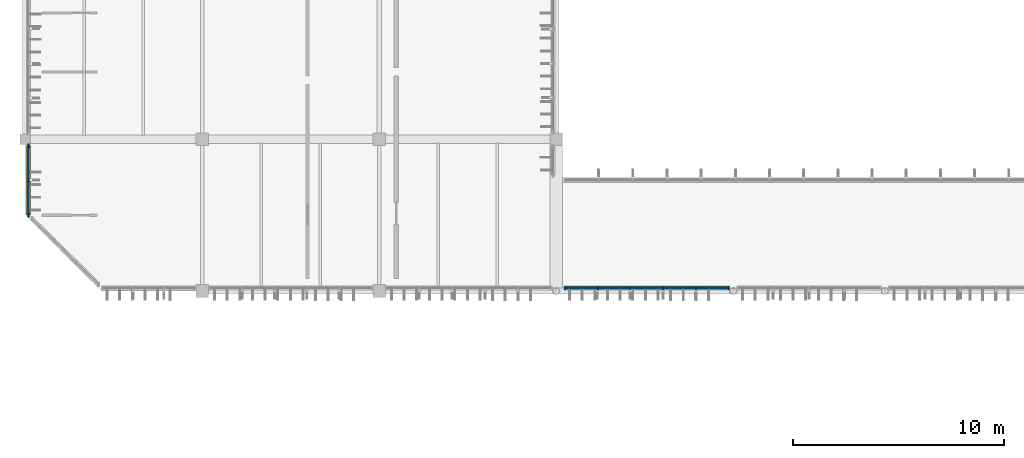
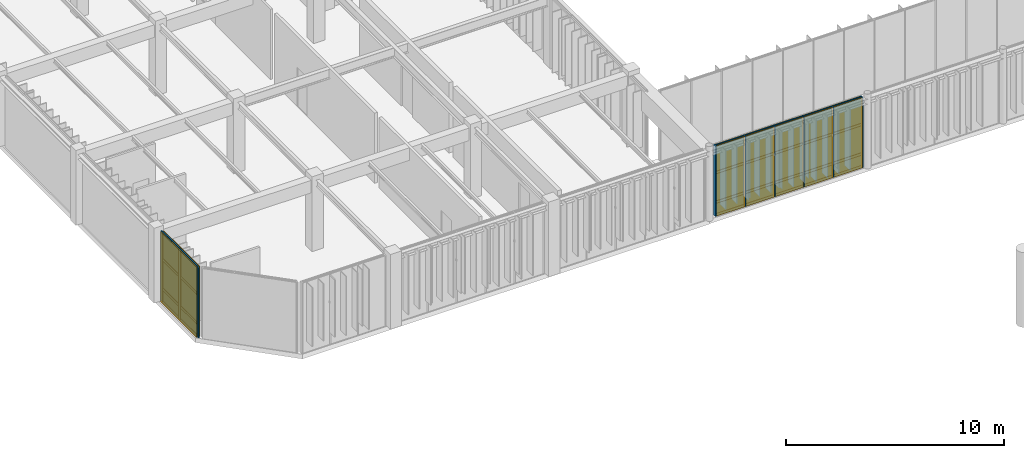
# One storey, part 69 of 122: 37 members, 21 plates, 2 curtain walls.
"""IFC4 building model written with IfcOpenShell, lengths in metres."""

from ifc_helpers import new_model, si_unit, direction, frame, frame_2d, origin, origin_2d, place, context, subcontext, project, spatial, rectangle, extrude, material, layer, layer_set, material_profile, profile_set, type_object, element, aggregate, save


model = new_model("IFC4")

# Units and contexts
model_context = context("Model", 3, precision=1e-05, world=origin(), true_north=direction((0.0, 1.0)))
body_context = subcontext(model_context, "Body", "Model", "MODEL_VIEW")
ifc_project = project(units=[si_unit("LENGTHUNIT", "METRE"), si_unit("AREAUNIT", "SQUARE_METRE"), si_unit("VOLUMEUNIT", "CUBIC_METRE"), si_unit("PLANEANGLEUNIT", "RADIAN"), si_unit("MASSUNIT", "GRAM", prefix="KILO")], contexts=[model_context])

# Member
ifc_material_1 = material(Name="Anodised Bronze Aluminium 6063-T6", Category="aluminium")
ifc_material_profile_1 = material_profile(ifc_material_1, rectangle(XDim=0.06005859375, YDim=0.179931640625, at=origin_2d()), Name="ALU MULLION 60x180")
ifc_profile_set_1 = profile_set([ifc_material_profile_1], Name="Anodised Bronze Aluminium 6063-T6")
member_type_1 = type_object("IfcMemberType", Name="Curtain-Wall Primary Mullion 60x180", PredefinedType="MULLION", material=ifc_profile_set_1)
site_placement = place(None, origin())
building_placement = place(site_placement, origin())
storey_placement = place(building_placement, frame((0.0, 0.0, 4.800048828125)))
member_1_placement = place(storey_placement, frame((2.550048828125, 48.199951171875, 0.0), z_axis=(0.0, 0.0, 1.0), x_axis=(1.0, 0.0, 0.0)))
member_1 = element("IfcMember", 1, at=member_1_placement, type_object=member_type_1, Name="Mullion CWM-01 CW-V6-W1-L01-B1-M01", PredefinedType="MULLION", context=body_context, shape_type="SweptSolid", body=[
    extrude(rectangle(XDim=0.06005859375, YDim=0.179931640625, at=origin_2d()), origin(), (0.0, 0.0, 1.0), 3.93994140625),
])

member_2_placement = place(storey_placement, frame((2.550048828125, 49.85009765625, 0.0), z_axis=(0.0, 0.0, 1.0), x_axis=(1.0, 0.0, 0.0)))
member_2 = element("IfcMember", 2, at=member_2_placement, type_object=member_type_1, Name="Mullion CWM-01 CW-V6-W1-L01-B1-M02", PredefinedType="MULLION", context=body_context, shape_type="SweptSolid", body=[
    extrude(rectangle(XDim=0.06005859375, YDim=0.179931640625, at=origin_2d()), origin(), (0.0, 0.0, 1.0), 3.93994140625),
])

member_3_placement = place(storey_placement, frame((2.550048828125, 51.5, 0.0), z_axis=(0.0, 0.0, 1.0), x_axis=(1.0, 0.0, 0.0)))
member_3 = element("IfcMember", 3, at=member_3_placement, type_object=member_type_1, Name="Mullion CWM-01 CW-V6-W1-L01-B1-M03", PredefinedType="MULLION", context=body_context, shape_type="SweptSolid", body=[
    extrude(rectangle(XDim=0.06005859375, YDim=0.179931640625, at=origin_2d()), origin(), (0.0, 0.0, 1.0), 3.93994140625),
])

member_4_placement = place(storey_placement, frame((28.0, 44.75, 0.0), z_axis=(0.0, 0.0, 1.0), x_axis=(1.0, 0.0, 0.0)))
member_4 = element("IfcMember", 4, at=member_4_placement, type_object=member_type_1, Name="Mullion CWM-01 CW-WLNK-S-L01-B1-M01", PredefinedType="MULLION", context=body_context, shape_type="SweptSolid", body=[
    extrude(rectangle(XDim=0.06005859375, YDim=0.179931640625, at=origin_2d()), origin(), (0.0, 0.0, 1.0), 3.93994140625),
])

member_5_placement = place(storey_placement, frame((29.5576171875, 44.75, 0.0), z_axis=(0.0, 0.0, 1.0), x_axis=(1.0, 0.0, 0.0)))
member_5 = element("IfcMember", 5, at=member_5_placement, type_object=member_type_1, Name="Mullion CWM-01 CW-WLNK-S-L01-B1-M02", PredefinedType="MULLION", context=body_context, shape_type="SweptSolid", body=[
    extrude(rectangle(XDim=0.06005859375, YDim=0.179931640625, at=origin_2d()), origin(), (0.0, 0.0, 1.0), 3.93994140625),
])

member_6_placement = place(storey_placement, frame((31.115234375, 44.75, 0.0), z_axis=(0.0, 0.0, 1.0), x_axis=(1.0, 0.0, 0.0)))
member_6 = element("IfcMember", 6, at=member_6_placement, type_object=member_type_1, Name="Mullion CWM-01 CW-WLNK-S-L01-B1-M03", PredefinedType="MULLION", context=body_context, shape_type="SweptSolid", body=[
    extrude(rectangle(XDim=0.06005859375, YDim=0.179931640625, at=origin_2d()), origin(), (0.0, 0.0, 1.0), 3.93994140625),
])

member_7_placement = place(storey_placement, frame((32.6728515625, 44.75, 0.0), z_axis=(0.0, 0.0, 1.0), x_axis=(1.0, 0.0, 0.0)))
member_7 = element("IfcMember", 7, at=member_7_placement, type_object=member_type_1, Name="Mullion CWM-01 CW-WLNK-S-L01-B1-M04", PredefinedType="MULLION", context=body_context, shape_type="SweptSolid", body=[
    extrude(rectangle(XDim=0.06005859375, YDim=0.179931640625, at=origin_2d()), origin(), (0.0, 0.0, 1.0), 3.93994140625),
])

member_8_placement = place(storey_placement, frame((34.23046875, 44.75, 0.0), z_axis=(0.0, 0.0, 1.0), x_axis=(1.0, 0.0, 0.0)))
member_8 = element("IfcMember", 8, at=member_8_placement, type_object=member_type_1, Name="Mullion CWM-01 CW-WLNK-S-L01-B1-M05", PredefinedType="MULLION", context=body_context, shape_type="SweptSolid", body=[
    extrude(rectangle(XDim=0.06005859375, YDim=0.179931640625, at=origin_2d()), origin(), (0.0, 0.0, 1.0), 3.93994140625),
])

member_9_placement = place(storey_placement, frame((35.7880859375, 44.75, 0.0), z_axis=(0.0, 0.0, 1.0), x_axis=(1.0, 0.0, 0.0)))
member_9 = element("IfcMember", 9, at=member_9_placement, type_object=member_type_1, Name="Mullion CWM-01 CW-WLNK-S-L01-B1-M06", PredefinedType="MULLION", context=body_context, shape_type="SweptSolid", body=[
    extrude(rectangle(XDim=0.06005859375, YDim=0.179931640625, at=origin_2d()), origin(), (0.0, 0.0, 1.0), 3.93994140625),
])

ifc_material_profile_2 = material_profile(ifc_material_1, rectangle(XDim=0.06005859375, YDim=0.139892578125, at=origin_2d()), Name="ALU TRANSOM 60x140")
ifc_profile_set_2 = profile_set([ifc_material_profile_2], Name="Anodised Bronze Aluminium 6063-T6")
member_type_2 = type_object("IfcMemberType", Name="Curtain-Wall Transom 60x140", PredefinedType="USERDEFINED", material=ifc_profile_set_2)
member_10_placement = place(storey_placement, frame((2.550048828125, 48.235107421875, 0.0400390625), z_axis=(0.0, 1.0, 0.0), x_axis=(-1.0, 0.0, 0.0)))
member_10 = element("IfcMember", 10, at=member_10_placement, type_object=member_type_2, Name="Transom CWT-01 CW-V6-W1-L01-B1-T01.1", ObjectType="TRANSOM", PredefinedType="USERDEFINED", context=body_context, shape_type="SweptSolid", body=[
    extrude(rectangle(XDim=0.06005859375, YDim=0.139892578125, at=origin_2d()), origin(), (0.0, 0.0, 1.0), 1.579833984375),
])

member_11_placement = place(storey_placement, frame((2.550048828125, 48.235107421875, 0.75), z_axis=(0.0, 1.0, 0.0), x_axis=(-1.0, 0.0, 0.0)))
member_11 = element("IfcMember", 11, at=member_11_placement, type_object=member_type_2, Name="Transom CWT-01 CW-V6-W1-L01-B1-T01.2", ObjectType="TRANSOM", PredefinedType="USERDEFINED", context=body_context, shape_type="SweptSolid", body=[
    extrude(rectangle(XDim=0.06005859375, YDim=0.139892578125, at=origin_2d()), origin(), (0.0, 0.0, 1.0), 1.579833984375),
])

member_12_placement = place(storey_placement, frame((2.550048828125, 48.235107421875, 2.40869140625), z_axis=(0.0, 1.0, 0.0), x_axis=(-1.0, 0.0, 0.0)))
member_12 = element("IfcMember", 12, at=member_12_placement, type_object=member_type_2, Name="Transom CWT-01 CW-V6-W1-L01-B1-T01.3", ObjectType="TRANSOM", PredefinedType="USERDEFINED", context=body_context, shape_type="SweptSolid", body=[
    extrude(rectangle(XDim=0.06005859375, YDim=0.139892578125, at=origin_2d()), origin(), (0.0, 0.0, 1.0), 1.579833984375),
])

member_13_placement = place(storey_placement, frame((2.550048828125, 48.235107421875, 3.89990234375), z_axis=(0.0, 1.0, 0.0), x_axis=(-1.0, 0.0, 0.0)))
member_13 = element("IfcMember", 13, at=member_13_placement, type_object=member_type_2, Name="Transom CWT-01 CW-V6-W1-L01-B1-T01.4", ObjectType="TRANSOM", PredefinedType="USERDEFINED", context=body_context, shape_type="SweptSolid", body=[
    extrude(rectangle(XDim=0.06005859375, YDim=0.139892578125, at=origin_2d()), origin(), (0.0, 0.0, 1.0), 1.579833984375),
])

member_14_placement = place(storey_placement, frame((2.550048828125, 49.885009765625, 0.0400390625), z_axis=(0.0, 1.0, 0.0), x_axis=(-1.0, 0.0, 0.0)))
member_14 = element("IfcMember", 14, at=member_14_placement, type_object=member_type_2, Name="Transom CWT-01 CW-V6-W1-L01-B1-T02.1", ObjectType="TRANSOM", PredefinedType="USERDEFINED", context=body_context, shape_type="SweptSolid", body=[
    extrude(rectangle(XDim=0.06005859375, YDim=0.139892578125, at=origin_2d()), origin(), (0.0, 0.0, 1.0), 1.580078125),
])

member_15_placement = place(storey_placement, frame((2.550048828125, 49.885009765625, 0.75), z_axis=(0.0, 1.0, 0.0), x_axis=(-1.0, 0.0, 0.0)))
member_15 = element("IfcMember", 15, at=member_15_placement, type_object=member_type_2, Name="Transom CWT-01 CW-V6-W1-L01-B1-T02.2", ObjectType="TRANSOM", PredefinedType="USERDEFINED", context=body_context, shape_type="SweptSolid", body=[
    extrude(rectangle(XDim=0.06005859375, YDim=0.139892578125, at=origin_2d()), origin(), (0.0, 0.0, 1.0), 1.580078125),
])

member_16_placement = place(storey_placement, frame((2.550048828125, 49.885009765625, 2.40869140625), z_axis=(0.0, 1.0, 0.0), x_axis=(-1.0, 0.0, 0.0)))
member_16 = element("IfcMember", 16, at=member_16_placement, type_object=member_type_2, Name="Transom CWT-01 CW-V6-W1-L01-B1-T02.3", ObjectType="TRANSOM", PredefinedType="USERDEFINED", context=body_context, shape_type="SweptSolid", body=[
    extrude(rectangle(XDim=0.06005859375, YDim=0.139892578125, at=origin_2d()), origin(), (0.0, 0.0, 1.0), 1.580078125),
])

member_17_placement = place(storey_placement, frame((2.550048828125, 49.885009765625, 3.89990234375), z_axis=(0.0, 1.0, 0.0), x_axis=(-1.0, 0.0, 0.0)))
member_17 = element("IfcMember", 17, at=member_17_placement, type_object=member_type_2, Name="Transom CWT-01 CW-V6-W1-L01-B1-T02.4", ObjectType="TRANSOM", PredefinedType="USERDEFINED", context=body_context, shape_type="SweptSolid", body=[
    extrude(rectangle(XDim=0.06005859375, YDim=0.139892578125, at=origin_2d()), origin(), (0.0, 0.0, 1.0), 1.580078125),
])

member_18_placement = place(storey_placement, frame((28.034912109375, 44.75, 0.0400390625), z_axis=(1.0, 0.0, 0.0), x_axis=(0.0, 1.0, 0.0)))
member_18 = element("IfcMember", 18, at=member_18_placement, type_object=member_type_2, Name="Transom CWT-01 CW-WLNK-S-L01-B1-T01.1", ObjectType="TRANSOM", PredefinedType="USERDEFINED", context=body_context, shape_type="SweptSolid", body=[
    extrude(rectangle(XDim=0.06005859375, YDim=0.139892578125, at=origin_2d()), origin(), (0.0, 0.0, 1.0), 1.48779296875),
])

member_19_placement = place(storey_placement, frame((28.034912109375, 44.75, 0.75), z_axis=(1.0, 0.0, 0.0), x_axis=(0.0, 1.0, 0.0)))
member_19 = element("IfcMember", 19, at=member_19_placement, type_object=member_type_2, Name="Transom CWT-01 CW-WLNK-S-L01-B1-T01.2", ObjectType="TRANSOM", PredefinedType="USERDEFINED", context=body_context, shape_type="SweptSolid", body=[
    extrude(rectangle(XDim=0.06005859375, YDim=0.139892578125, at=origin_2d()), origin(), (0.0, 0.0, 1.0), 1.48779296875),
])

member_20_placement = place(storey_placement, frame((28.034912109375, 44.75, 2.40869140625), z_axis=(1.0, 0.0, 0.0), x_axis=(0.0, 1.0, 0.0)))
member_20 = element("IfcMember", 20, at=member_20_placement, type_object=member_type_2, Name="Transom CWT-01 CW-WLNK-S-L01-B1-T01.3", ObjectType="TRANSOM", PredefinedType="USERDEFINED", context=body_context, shape_type="SweptSolid", body=[
    extrude(rectangle(XDim=0.06005859375, YDim=0.139892578125, at=origin_2d()), origin(), (0.0, 0.0, 1.0), 1.48779296875),
])

member_21_placement = place(storey_placement, frame((28.034912109375, 44.75, 3.89990234375), z_axis=(1.0, 0.0, 0.0), x_axis=(0.0, 1.0, 0.0)))
member_21 = element("IfcMember", 21, at=member_21_placement, type_object=member_type_2, Name="Transom CWT-01 CW-WLNK-S-L01-B1-T01.4", ObjectType="TRANSOM", PredefinedType="USERDEFINED", context=body_context, shape_type="SweptSolid", body=[
    extrude(rectangle(XDim=0.06005859375, YDim=0.139892578125, at=origin_2d()), origin(), (0.0, 0.0, 1.0), 1.48779296875),
])

member_22_placement = place(storey_placement, frame((29.592529296875, 44.75, 0.0400390625), z_axis=(1.0, 0.0, 0.0), x_axis=(0.0, 1.0, 0.0)))
member_22 = element("IfcMember", 22, at=member_22_placement, type_object=member_type_2, Name="Transom CWT-01 CW-WLNK-S-L01-B1-T02.1", ObjectType="TRANSOM", PredefinedType="USERDEFINED", context=body_context, shape_type="SweptSolid", body=[
    extrude(rectangle(XDim=0.06005859375, YDim=0.139892578125, at=origin_2d()), origin(), (0.0, 0.0, 1.0), 1.487548828125),
])

member_23_placement = place(storey_placement, frame((29.592529296875, 44.75, 0.75), z_axis=(1.0, 0.0, 0.0), x_axis=(0.0, 1.0, 0.0)))
member_23 = element("IfcMember", 23, at=member_23_placement, type_object=member_type_2, Name="Transom CWT-01 CW-WLNK-S-L01-B1-T02.2", ObjectType="TRANSOM", PredefinedType="USERDEFINED", context=body_context, shape_type="SweptSolid", body=[
    extrude(rectangle(XDim=0.06005859375, YDim=0.139892578125, at=origin_2d()), origin(), (0.0, 0.0, 1.0), 1.487548828125),
])

member_24_placement = place(storey_placement, frame((29.592529296875, 44.75, 2.40869140625), z_axis=(1.0, 0.0, 0.0), x_axis=(0.0, 1.0, 0.0)))
member_24 = element("IfcMember", 24, at=member_24_placement, type_object=member_type_2, Name="Transom CWT-01 CW-WLNK-S-L01-B1-T02.3", ObjectType="TRANSOM", PredefinedType="USERDEFINED", context=body_context, shape_type="SweptSolid", body=[
    extrude(rectangle(XDim=0.06005859375, YDim=0.139892578125, at=origin_2d()), origin(), (0.0, 0.0, 1.0), 1.487548828125),
])

member_25_placement = place(storey_placement, frame((29.592529296875, 44.75, 3.89990234375), z_axis=(1.0, 0.0, 0.0), x_axis=(0.0, 1.0, 0.0)))
member_25 = element("IfcMember", 25, at=member_25_placement, type_object=member_type_2, Name="Transom CWT-01 CW-WLNK-S-L01-B1-T02.4", ObjectType="TRANSOM", PredefinedType="USERDEFINED", context=body_context, shape_type="SweptSolid", body=[
    extrude(rectangle(XDim=0.06005859375, YDim=0.139892578125, at=origin_2d()), origin(), (0.0, 0.0, 1.0), 1.487548828125),
])

member_26_placement = place(storey_placement, frame((31.150146484375, 44.75, 0.0400390625), z_axis=(1.0, 0.0, 0.0), x_axis=(0.0, 1.0, 0.0)))
member_26 = element("IfcMember", 26, at=member_26_placement, type_object=member_type_2, Name="Transom CWT-01 CW-WLNK-S-L01-B1-T03.1", ObjectType="TRANSOM", PredefinedType="USERDEFINED", context=body_context, shape_type="SweptSolid", body=[
    extrude(rectangle(XDim=0.06005859375, YDim=0.139892578125, at=origin_2d()), origin(), (0.0, 0.0, 1.0), 1.487548828125),
])

member_27_placement = place(storey_placement, frame((31.150146484375, 44.75, 0.75), z_axis=(1.0, 0.0, 0.0), x_axis=(0.0, 1.0, 0.0)))
member_27 = element("IfcMember", 27, at=member_27_placement, type_object=member_type_2, Name="Transom CWT-01 CW-WLNK-S-L01-B1-T03.2", ObjectType="TRANSOM", PredefinedType="USERDEFINED", context=body_context, shape_type="SweptSolid", body=[
    extrude(rectangle(XDim=0.06005859375, YDim=0.139892578125, at=origin_2d()), origin(), (0.0, 0.0, 1.0), 1.487548828125),
])

member_28_placement = place(storey_placement, frame((31.150146484375, 44.75, 2.40869140625), z_axis=(1.0, 0.0, 0.0), x_axis=(0.0, 1.0, 0.0)))
member_28 = element("IfcMember", 28, at=member_28_placement, type_object=member_type_2, Name="Transom CWT-01 CW-WLNK-S-L01-B1-T03.3", ObjectType="TRANSOM", PredefinedType="USERDEFINED", context=body_context, shape_type="SweptSolid", body=[
    extrude(rectangle(XDim=0.06005859375, YDim=0.139892578125, at=origin_2d()), origin(), (0.0, 0.0, 1.0), 1.487548828125),
])

member_29_placement = place(storey_placement, frame((31.150146484375, 44.75, 3.89990234375), z_axis=(1.0, 0.0, 0.0), x_axis=(0.0, 1.0, 0.0)))
member_29 = element("IfcMember", 29, at=member_29_placement, type_object=member_type_2, Name="Transom CWT-01 CW-WLNK-S-L01-B1-T03.4", ObjectType="TRANSOM", PredefinedType="USERDEFINED", context=body_context, shape_type="SweptSolid", body=[
    extrude(rectangle(XDim=0.06005859375, YDim=0.139892578125, at=origin_2d()), origin(), (0.0, 0.0, 1.0), 1.487548828125),
])

member_30_placement = place(storey_placement, frame((32.707763671875, 44.75, 0.0400390625), z_axis=(1.0, 0.0, 0.0), x_axis=(0.0, 1.0, 0.0)))
member_30 = element("IfcMember", 30, at=member_30_placement, type_object=member_type_2, Name="Transom CWT-01 CW-WLNK-S-L01-B1-T04.1", ObjectType="TRANSOM", PredefinedType="USERDEFINED", context=body_context, shape_type="SweptSolid", body=[
    extrude(rectangle(XDim=0.06005859375, YDim=0.139892578125, at=origin_2d()), origin(), (0.0, 0.0, 1.0), 1.487548828125),
])

member_31_placement = place(storey_placement, frame((32.707763671875, 44.75, 0.75), z_axis=(1.0, 0.0, 0.0), x_axis=(0.0, 1.0, 0.0)))
member_31 = element("IfcMember", 31, at=member_31_placement, type_object=member_type_2, Name="Transom CWT-01 CW-WLNK-S-L01-B1-T04.2", ObjectType="TRANSOM", PredefinedType="USERDEFINED", context=body_context, shape_type="SweptSolid", body=[
    extrude(rectangle(XDim=0.06005859375, YDim=0.139892578125, at=origin_2d()), origin(), (0.0, 0.0, 1.0), 1.487548828125),
])

member_32_placement = place(storey_placement, frame((32.707763671875, 44.75, 2.40869140625), z_axis=(1.0, 0.0, 0.0), x_axis=(0.0, 1.0, 0.0)))
member_32 = element("IfcMember", 32, at=member_32_placement, type_object=member_type_2, Name="Transom CWT-01 CW-WLNK-S-L01-B1-T04.3", ObjectType="TRANSOM", PredefinedType="USERDEFINED", context=body_context, shape_type="SweptSolid", body=[
    extrude(rectangle(XDim=0.06005859375, YDim=0.139892578125, at=origin_2d()), origin(), (0.0, 0.0, 1.0), 1.487548828125),
])

member_33_placement = place(storey_placement, frame((32.707763671875, 44.75, 3.89990234375), z_axis=(1.0, 0.0, 0.0), x_axis=(0.0, 1.0, 0.0)))
member_33 = element("IfcMember", 33, at=member_33_placement, type_object=member_type_2, Name="Transom CWT-01 CW-WLNK-S-L01-B1-T04.4", ObjectType="TRANSOM", PredefinedType="USERDEFINED", context=body_context, shape_type="SweptSolid", body=[
    extrude(rectangle(XDim=0.06005859375, YDim=0.139892578125, at=origin_2d()), origin(), (0.0, 0.0, 1.0), 1.487548828125),
])

member_34_placement = place(storey_placement, frame((34.265380859375, 44.75, 0.0400390625), z_axis=(1.0, 0.0, 0.0), x_axis=(0.0, 1.0, 0.0)))
member_34 = element("IfcMember", 34, at=member_34_placement, type_object=member_type_2, Name="Transom CWT-01 CW-WLNK-S-L01-B1-T05.1", ObjectType="TRANSOM", PredefinedType="USERDEFINED", context=body_context, shape_type="SweptSolid", body=[
    extrude(rectangle(XDim=0.06005859375, YDim=0.139892578125, at=origin_2d()), origin(), (0.0, 0.0, 1.0), 1.487548828125),
])

member_35_placement = place(storey_placement, frame((34.265380859375, 44.75, 0.75), z_axis=(1.0, 0.0, 0.0), x_axis=(0.0, 1.0, 0.0)))
member_35 = element("IfcMember", 35, at=member_35_placement, type_object=member_type_2, Name="Transom CWT-01 CW-WLNK-S-L01-B1-T05.2", ObjectType="TRANSOM", PredefinedType="USERDEFINED", context=body_context, shape_type="SweptSolid", body=[
    extrude(rectangle(XDim=0.06005859375, YDim=0.139892578125, at=origin_2d()), origin(), (0.0, 0.0, 1.0), 1.487548828125),
])

member_36_placement = place(storey_placement, frame((34.265380859375, 44.75, 2.40869140625), z_axis=(1.0, 0.0, 0.0), x_axis=(0.0, 1.0, 0.0)))
member_36 = element("IfcMember", 36, at=member_36_placement, type_object=member_type_2, Name="Transom CWT-01 CW-WLNK-S-L01-B1-T05.3", ObjectType="TRANSOM", PredefinedType="USERDEFINED", context=body_context, shape_type="SweptSolid", body=[
    extrude(rectangle(XDim=0.06005859375, YDim=0.139892578125, at=origin_2d()), origin(), (0.0, 0.0, 1.0), 1.487548828125),
])

member_37_placement = place(storey_placement, frame((34.265380859375, 44.75, 3.89990234375), z_axis=(1.0, 0.0, 0.0), x_axis=(0.0, 1.0, 0.0)))
member_37 = element("IfcMember", 37, at=member_37_placement, type_object=member_type_2, Name="Transom CWT-01 CW-WLNK-S-L01-B1-T05.4", ObjectType="TRANSOM", PredefinedType="USERDEFINED", context=body_context, shape_type="SweptSolid", body=[
    extrude(rectangle(XDim=0.06005859375, YDim=0.139892578125, at=origin_2d()), origin(), (0.0, 0.0, 1.0), 1.487548828125),
])

# Plate
ifc_material_2 = material(Name="Insulated Bronze Aluminium Spandrel Panel", Category="aluminium")
ifc_layer_1 = layer(ifc_material_2, 0.050048828125, Name="Insulated Bronze Aluminium Spandrel Panel")
ifc_layer_set_1 = layer_set([ifc_layer_1], Name="Insulated Bronze Aluminium Spandrel Panel")
plate_type_1 = type_object("IfcPlateType", Name="Insulated Anodised Aluminium Spandrel Cassette 50", PredefinedType="CURTAIN_PANEL", material=ifc_layer_set_1)
plate_1_placement = place(storey_placement, frame((2.550048828125, 49.02490234375, 0.070068359375), z_axis=(0.0, 0.0, 1.0), x_axis=(0.0, 1.0, 0.0)))
plate_1 = element("IfcPlate", 38, at=plate_1_placement, type_object=plate_type_1, Name="Curtain Panel CWP-03 CW-V6-W1-L01-B1-P01.1", PredefinedType="CURTAIN_PANEL", context=body_context, shape_type="SweptSolid", body=[
    extrude(rectangle(XDim=1.580078125, YDim=0.050048828125, at=origin_2d()), origin(), (0.0, 0.0, 1.0), 0.64990234375),
])

plate_2_placement = place(storey_placement, frame((2.550048828125, 50.675048828125, 0.070068359375), z_axis=(0.0, 0.0, 1.0), x_axis=(0.0, 1.0, 0.0)))
plate_2 = element("IfcPlate", 39, at=plate_2_placement, type_object=plate_type_1, Name="Curtain Panel CWP-03 CW-V6-W1-L01-B1-P02.1", PredefinedType="CURTAIN_PANEL", context=body_context, shape_type="SweptSolid", body=[
    extrude(rectangle(XDim=1.580078125, YDim=0.050048828125, at=origin_2d()), origin(), (0.0, 0.0, 1.0), 0.64990234375),
])

plate_3_placement = place(storey_placement, frame((28.77880859375, 44.75, 0.070068359375), z_axis=(0.0, 0.0, 1.0), x_axis=(1.0, 0.0, 0.0)))
plate_3 = element("IfcPlate", 40, at=plate_3_placement, type_object=plate_type_1, Name="Curtain Panel CWP-03 CW-WLNK-S-L01-B1-P01.1", PredefinedType="CURTAIN_PANEL", context=body_context, shape_type="SweptSolid", body=[
    extrude(rectangle(XDim=1.487548828125, YDim=0.050048828125, at=origin_2d()), origin(), (0.0, 0.0, 1.0), 0.64990234375),
])

plate_4_placement = place(storey_placement, frame((30.33642578125, 44.75, 0.070068359375), z_axis=(0.0, 0.0, 1.0), x_axis=(1.0, 0.0, 0.0)))
plate_4 = element("IfcPlate", 41, at=plate_4_placement, type_object=plate_type_1, Name="Curtain Panel CWP-03 CW-WLNK-S-L01-B1-P02.1", PredefinedType="CURTAIN_PANEL", context=body_context, shape_type="SweptSolid", body=[
    extrude(rectangle(XDim=1.487548828125, YDim=0.050048828125, at=origin_2d()), origin(), (0.0, 0.0, 1.0), 0.64990234375),
])

plate_5_placement = place(storey_placement, frame((31.89404296875, 44.75, 0.070068359375), z_axis=(0.0, 0.0, 1.0), x_axis=(1.0, 0.0, 0.0)))
plate_5 = element("IfcPlate", 42, at=plate_5_placement, type_object=plate_type_1, Name="Curtain Panel CWP-03 CW-WLNK-S-L01-B1-P03.1", PredefinedType="CURTAIN_PANEL", context=body_context, shape_type="SweptSolid", body=[
    extrude(rectangle(XDim=1.487548828125, YDim=0.050048828125, at=origin_2d()), origin(), (0.0, 0.0, 1.0), 0.64990234375),
])

plate_6_placement = place(storey_placement, frame((33.45166015625, 44.75, 0.070068359375), z_axis=(0.0, 0.0, 1.0), x_axis=(1.0, 0.0, 0.0)))
plate_6 = element("IfcPlate", 43, at=plate_6_placement, type_object=plate_type_1, Name="Curtain Panel CWP-03 CW-WLNK-S-L01-B1-P04.1", PredefinedType="CURTAIN_PANEL", context=body_context, shape_type="SweptSolid", body=[
    extrude(rectangle(XDim=1.487548828125, YDim=0.050048828125, at=origin_2d()), origin(), (0.0, 0.0, 1.0), 0.64990234375),
])

plate_7_placement = place(storey_placement, frame((35.00927734375, 44.75, 0.070068359375), z_axis=(0.0, 0.0, 1.0), x_axis=(1.0, 0.0, 0.0)))
plate_7 = element("IfcPlate", 44, at=plate_7_placement, type_object=plate_type_1, Name="Curtain Panel CWP-03 CW-WLNK-S-L01-B1-P05.1", PredefinedType="CURTAIN_PANEL", context=body_context, shape_type="SweptSolid", body=[
    extrude(rectangle(XDim=1.487548828125, YDim=0.050048828125, at=origin_2d()), origin(), (0.0, 0.0, 1.0), 0.64990234375),
])

ifc_material_3 = material(Name="Solar-Control Tempered Double Glazing", Category="glass")
ifc_layer_2 = layer(ifc_material_3, 0.0380859375, Name="Solar-Control Tempered Double Glazing")
ifc_layer_set_2 = layer_set([ifc_layer_2], Name="Solar-Control Tempered Double Glazing")
plate_type_2 = type_object("IfcPlateType", Name="Solar-Control Vision Glazing Unit 38", PredefinedType="CURTAIN_PANEL", material=ifc_layer_set_2)
plate_8_placement = place(storey_placement, frame((2.550048828125, 49.02490234375, 0.77978515625), z_axis=(0.0, 0.0, 1.0), x_axis=(0.0, 1.0, 0.0)))
plate_8 = element("IfcPlate", 45, at=plate_8_placement, type_object=plate_type_2, Name="Curtain Panel CWP-02 CW-V6-W1-L01-B1-P01.2", PredefinedType="CURTAIN_PANEL", context=body_context, shape_type="SweptSolid", body=[
    extrude(rectangle(XDim=1.580078125, YDim=0.0380859375, at=origin_2d()), origin(), (0.0, 0.0, 1.0), 1.598876953125),
])

plate_9_placement = place(storey_placement, frame((2.550048828125, 49.02490234375, 2.438720703125), z_axis=(0.0, 0.0, 1.0), x_axis=(0.0, 1.0, 0.0)))
plate_9 = element("IfcPlate", 46, at=plate_9_placement, type_object=plate_type_2, Name="Curtain Panel CWP-02 CW-V6-W1-L01-B1-P01.3", PredefinedType="CURTAIN_PANEL", context=body_context, shape_type="SweptSolid", body=[
    extrude(rectangle(XDim=1.580078125, YDim=0.0380859375, at=origin_2d()), origin(), (0.0, 0.0, 1.0), 1.43115234375),
])

plate_10_placement = place(storey_placement, frame((2.550048828125, 50.675048828125, 0.77978515625), z_axis=(0.0, 0.0, 1.0), x_axis=(0.0, 1.0, 0.0)))
plate_10 = element("IfcPlate", 47, at=plate_10_placement, type_object=plate_type_2, Name="Curtain Panel CWP-02 CW-V6-W1-L01-B1-P02.2", PredefinedType="CURTAIN_PANEL", context=body_context, shape_type="SweptSolid", body=[
    extrude(rectangle(XDim=1.580078125, YDim=0.0380859375, at=origin_2d()), origin(), (0.0, 0.0, 1.0), 1.598876953125),
])

plate_11_placement = place(storey_placement, frame((2.550048828125, 50.675048828125, 2.438720703125), z_axis=(0.0, 0.0, 1.0), x_axis=(0.0, 1.0, 0.0)))
plate_11 = element("IfcPlate", 48, at=plate_11_placement, type_object=plate_type_2, Name="Curtain Panel CWP-02 CW-V6-W1-L01-B1-P02.3", PredefinedType="CURTAIN_PANEL", context=body_context, shape_type="SweptSolid", body=[
    extrude(rectangle(XDim=1.580078125, YDim=0.0380859375, at=origin_2d()), origin(), (0.0, 0.0, 1.0), 1.43115234375),
])

plate_12_placement = place(storey_placement, frame((28.77880859375, 44.75, 0.77978515625), z_axis=(0.0, 0.0, 1.0), x_axis=(1.0, 0.0, 0.0)))
plate_12 = element("IfcPlate", 49, at=plate_12_placement, type_object=plate_type_2, Name="Curtain Panel CWP-02 CW-WLNK-S-L01-B1-P01.2", PredefinedType="CURTAIN_PANEL", context=body_context, shape_type="SweptSolid", body=[
    extrude(rectangle(XDim=1.487548828125, YDim=0.0380859375, at=origin_2d()), origin(), (0.0, 0.0, 1.0), 1.598876953125),
])

plate_13_placement = place(storey_placement, frame((28.77880859375, 44.75, 2.438720703125), z_axis=(0.0, 0.0, 1.0), x_axis=(1.0, 0.0, 0.0)))
plate_13 = element("IfcPlate", 50, at=plate_13_placement, type_object=plate_type_2, Name="Curtain Panel CWP-02 CW-WLNK-S-L01-B1-P01.3", PredefinedType="CURTAIN_PANEL", context=body_context, shape_type="SweptSolid", body=[
    extrude(rectangle(XDim=1.487548828125, YDim=0.0380859375, at=origin_2d()), origin(), (0.0, 0.0, 1.0), 1.43115234375),
])

plate_14_placement = place(storey_placement, frame((30.33642578125, 44.75, 0.77978515625), z_axis=(0.0, 0.0, 1.0), x_axis=(1.0, 0.0, 0.0)))
plate_14 = element("IfcPlate", 51, at=plate_14_placement, type_object=plate_type_2, Name="Curtain Panel CWP-02 CW-WLNK-S-L01-B1-P02.2", PredefinedType="CURTAIN_PANEL", context=body_context, shape_type="SweptSolid", body=[
    extrude(rectangle(XDim=1.487548828125, YDim=0.0380859375, at=origin_2d()), origin(), (0.0, 0.0, 1.0), 1.598876953125),
])

plate_15_placement = place(storey_placement, frame((30.33642578125, 44.75, 2.438720703125), z_axis=(0.0, 0.0, 1.0), x_axis=(1.0, 0.0, 0.0)))
plate_15 = element("IfcPlate", 52, at=plate_15_placement, type_object=plate_type_2, Name="Curtain Panel CWP-02 CW-WLNK-S-L01-B1-P02.3", PredefinedType="CURTAIN_PANEL", context=body_context, shape_type="SweptSolid", body=[
    extrude(rectangle(XDim=1.487548828125, YDim=0.0380859375, at=origin_2d()), origin(), (0.0, 0.0, 1.0), 1.43115234375),
])

plate_16_placement = place(storey_placement, frame((31.89404296875, 44.75, 0.77978515625), z_axis=(0.0, 0.0, 1.0), x_axis=(1.0, 0.0, 0.0)))
plate_16 = element("IfcPlate", 53, at=plate_16_placement, type_object=plate_type_2, Name="Curtain Panel CWP-02 CW-WLNK-S-L01-B1-P03.2", PredefinedType="CURTAIN_PANEL", context=body_context, shape_type="SweptSolid", body=[
    extrude(rectangle(XDim=1.487548828125, YDim=0.0380859375, at=origin_2d()), origin(), (0.0, 0.0, 1.0), 1.598876953125),
])

plate_17_placement = place(storey_placement, frame((31.89404296875, 44.75, 2.438720703125), z_axis=(0.0, 0.0, 1.0), x_axis=(1.0, 0.0, 0.0)))
plate_17 = element("IfcPlate", 54, at=plate_17_placement, type_object=plate_type_2, Name="Curtain Panel CWP-02 CW-WLNK-S-L01-B1-P03.3", PredefinedType="CURTAIN_PANEL", context=body_context, shape_type="SweptSolid", body=[
    extrude(rectangle(XDim=1.487548828125, YDim=0.0380859375, at=origin_2d()), origin(), (0.0, 0.0, 1.0), 1.43115234375),
])

plate_18_placement = place(storey_placement, frame((33.45166015625, 44.75, 0.77978515625), z_axis=(0.0, 0.0, 1.0), x_axis=(1.0, 0.0, 0.0)))
plate_18 = element("IfcPlate", 55, at=plate_18_placement, type_object=plate_type_2, Name="Curtain Panel CWP-02 CW-WLNK-S-L01-B1-P04.2", PredefinedType="CURTAIN_PANEL", context=body_context, shape_type="SweptSolid", body=[
    extrude(rectangle(XDim=1.487548828125, YDim=0.0380859375, at=origin_2d()), origin(), (0.0, 0.0, 1.0), 1.598876953125),
])

plate_19_placement = place(storey_placement, frame((33.45166015625, 44.75, 2.438720703125), z_axis=(0.0, 0.0, 1.0), x_axis=(1.0, 0.0, 0.0)))
plate_19 = element("IfcPlate", 56, at=plate_19_placement, type_object=plate_type_2, Name="Curtain Panel CWP-02 CW-WLNK-S-L01-B1-P04.3", PredefinedType="CURTAIN_PANEL", context=body_context, shape_type="SweptSolid", body=[
    extrude(rectangle(XDim=1.487548828125, YDim=0.0380859375, at=origin_2d()), origin(), (0.0, 0.0, 1.0), 1.43115234375),
])

plate_20_placement = place(storey_placement, frame((35.00927734375, 44.75, 0.77978515625), z_axis=(0.0, 0.0, 1.0), x_axis=(1.0, 0.0, 0.0)))
plate_20 = element("IfcPlate", 57, at=plate_20_placement, type_object=plate_type_2, Name="Curtain Panel CWP-02 CW-WLNK-S-L01-B1-P05.2", PredefinedType="CURTAIN_PANEL", context=body_context, shape_type="SweptSolid", body=[
    extrude(rectangle(XDim=1.487548828125, YDim=0.0380859375, at=origin_2d()), origin(), (0.0, 0.0, 1.0), 1.598876953125),
])

plate_21_placement = place(storey_placement, frame((35.00927734375, 44.75, 2.438720703125), z_axis=(0.0, 0.0, 1.0), x_axis=(1.0, 0.0, 0.0)))
plate_21 = element("IfcPlate", 58, at=plate_21_placement, type_object=plate_type_2, Name="Curtain Panel CWP-02 CW-WLNK-S-L01-B1-P05.3", PredefinedType="CURTAIN_PANEL", context=body_context, shape_type="SweptSolid", body=[
    extrude(rectangle(XDim=1.487548828125, YDim=0.0380859375, at=origin_2d()), origin(), (0.0, 0.0, 1.0), 1.43115234375),
])

# Site, building, storey
site = spatial("IfcSite", under=ifc_project, at=site_placement, CompositionType="ELEMENT")
building = spatial("IfcBuilding", under=site, at=building_placement, Name="Tazoul Stagehouse", CompositionType="ELEMENT")
storey = spatial("IfcBuildingStorey", under=building, at=storey_placement, Name="L01", CompositionType="ELEMENT", Elevation=4.800048828125)

# Curtain wall
curtain_wall_type = type_object("IfcCurtainWallType", Name="Foyer Clear Solar-Control Curtain Wall", PredefinedType="NOTDEFINED", material=ifc_material_1)
curtain_wall_1_placement = place(storey_placement, frame((2.550048828125, 48.199951171875, 0.0), z_axis=(0.0, 0.0, 1.0), x_axis=(0.0, 1.0, 0.0)))
curtain_wall_1 = element("IfcCurtainWall", 59, at=curtain_wall_1_placement, inside=storey, type_object=curtain_wall_type, Name="L01 Curtain Wall CW-02 (CW-V6-W1-L01-B1)", PredefinedType="NOTDEFINED", context=body_context, shape_type="SweptSolid", body=[
    extrude(rectangle(XDim=3.300048828125, YDim=0.179931640625, at=frame_2d((1.64990234375, 0.0))), origin(), (0.0, 0.0, 1.0), 3.93994140625),
])

aggregate(curtain_wall_1, [member_1, member_2, member_3, member_10, member_11, member_12, member_13, plate_1, plate_8, plate_9, member_14, member_15, member_16, member_17, plate_2, plate_10, plate_11])

curtain_wall_2_placement = place(storey_placement, frame((28.0, 44.75, 0.0), z_axis=(0.0, 0.0, 1.0), x_axis=(1.0, 0.0, 0.0)))
curtain_wall_2 = element("IfcCurtainWall", 60, at=curtain_wall_2_placement, inside=storey, type_object=curtain_wall_type, Name="L01 Curtain Wall CW-02 (CW-WLNK-S-L01-B1)", PredefinedType="NOTDEFINED", context=body_context, shape_type="SweptSolid", body=[
    extrude(rectangle(XDim=7.7880859375, YDim=0.179931640625, at=frame_2d((3.89404296875, 0.0))), origin(), (0.0, 0.0, 1.0), 3.93994140625),
])

aggregate(curtain_wall_2, [member_4, member_5, member_6, member_7, member_8, member_9, member_18, member_19, member_20, member_21, plate_3, plate_12, plate_13, member_22, member_23, member_24, member_25, plate_4, plate_14, plate_15, member_26, member_27, member_28, member_29, plate_5, plate_16, plate_17, member_30, member_31, member_32, member_33, plate_6, plate_18, plate_19, member_34, member_35, member_36, member_37, plate_7, plate_20, plate_21])

save(model, "model.ifc")
